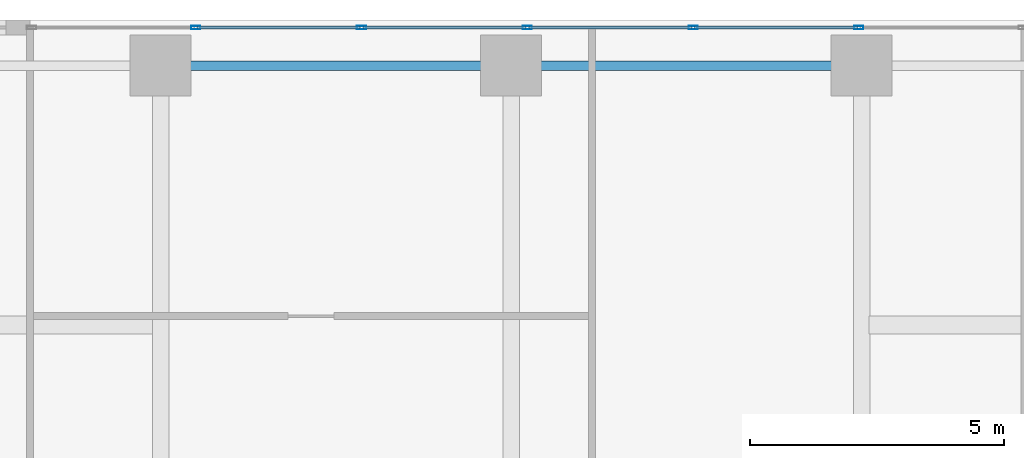
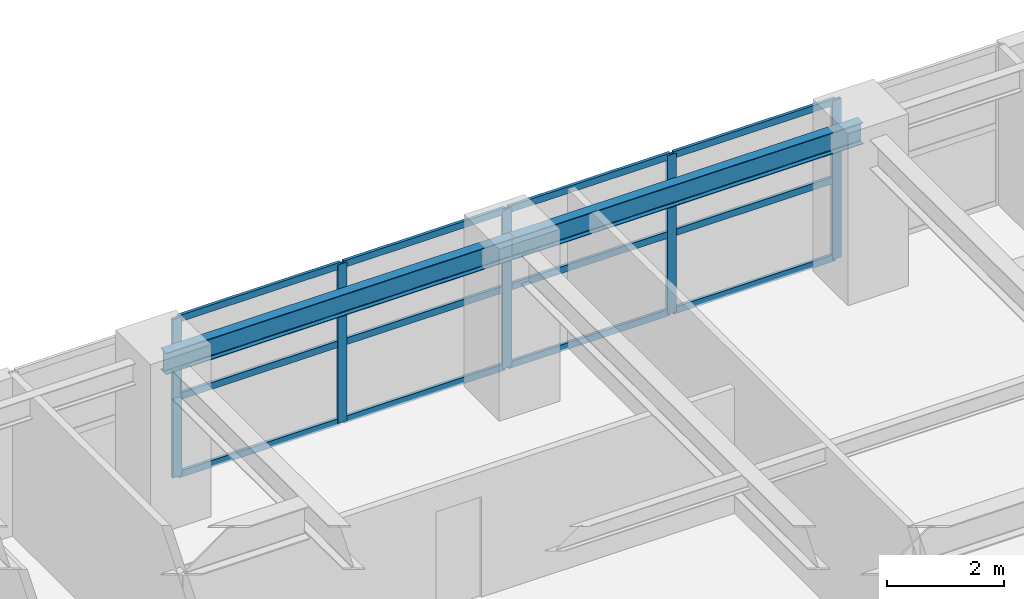
# One storey, part 14 of 24: 17 members, 2 beams, 1 element without a shape of its own.
"""IFC4 building model written with IfcOpenShell, lengths in metres."""

from ifc_helpers import new_model, si_unit, direction, frame, origin, origin_2d, place, context, subcontext, project, spatial, hollow_rectangle, i_section, extrude, source, transform, mapped, material, layer, layer_set, material_profile, profile_set, type_object, element, aggregate, save


model = new_model("IFC4")

# Units and contexts
model_context = context("Model", 3, precision=1e-05, world=origin(), true_north=direction((0.0, 1.0)))
body_context = subcontext(model_context, "Body", "Model", "MODEL_VIEW")
ifc_project = project(units=[si_unit("LENGTHUNIT", "METRE"), si_unit("AREAUNIT", "SQUARE_METRE"), si_unit("VOLUMEUNIT", "CUBIC_METRE"), si_unit("PLANEANGLEUNIT", "RADIAN"), si_unit("MASSUNIT", "GRAM", prefix="KILO")], contexts=[model_context])

# Site, building, storey
site_placement = place(None, origin())
site = spatial("IfcSite", under=ifc_project, at=site_placement, CompositionType="ELEMENT")
building_placement = place(site_placement, origin())
building = spatial("IfcBuilding", under=site, at=building_placement, Name="Khoralis Quay Care Tower", CompositionType="ELEMENT")
storey_placement = place(building_placement, frame((0.0, 0.0, 62.10009765625)))
storey = spatial("IfcBuildingStorey", under=building, at=storey_placement, Name="L16", CompositionType="ELEMENT", Elevation=62.10009765625)

# Beams
ifc_material_1 = material(Name="Steel S355", Category="steel")
ifc_material_profile_1 = material_profile(ifc_material_1, i_section(OverallWidth=0.18994140625, OverallDepth=0.449951171875, WebThickness=0.009521484375, FlangeThickness=0.0146484375, FilletRadius=0.02099609375, at=origin_2d()), Name="Steel S355")
ifc_profile_set_1 = profile_set([ifc_material_profile_1], Name="Steel S355")
beam_type = type_object("IfcBeamType", Name="BM-IPE450", PredefinedType="SPANDREL", material=ifc_profile_set_1)
shared_shape_1 = source(origin(), body_context, "Body", "SweptSolid", [
    extrude(i_section(OverallWidth=0.18994140625, OverallDepth=0.449951171875, WebThickness=0.009521484375, FlangeThickness=0.0146484375, FilletRadius=0.02099609375, at=origin_2d()), origin(), (0.0, 0.0, 1.0), 6.89990234375),
])
for number, where, z_axis, x_axis, name in (
    (1, (17.10009765625, 47.10009765625, 3.094970703125), (1.0, 0.0, 0.0), (0.0, 1.0, 0.0), "BM-TSP-L16-09"),
    (2, (24.0, 47.10009765625, 3.094970703125), (1.0, 0.0, 0.0), (0.0, 1.0, 0.0), "BM-TSP-L16-10"),
):
    element("IfcBeam", number, at=place(storey_placement, frame(where, z_axis=z_axis, x_axis=x_axis)), inside=storey, type_object=beam_type, Name=name, PredefinedType="SPANDREL", context=body_context, shape_type="MappedRepresentation", body=[
        mapped(shared_shape_1, transform((0.0, 0.0, 0.0), scale=1.0)),
    ])

# Curtain wall, members
ifc_material_2 = material(Name="Pale anodised aluminium", Category="aluminium")
ifc_layer = layer(ifc_material_2, 0.179931640625)
ifc_layer_set = layer_set([ifc_layer], Name="Pale anodised aluminium")
curtain_wall_type = type_object("IfcCurtainWallType", Name="CW-SYS-Z1", PredefinedType="NOTDEFINED", material=ifc_layer_set)
curtain_wall_placement = place(storey_placement, origin())
curtain_wall = element("IfcCurtainWall", 3, at=curtain_wall_placement, inside=storey, type_object=curtain_wall_type, Name="L16 Unitised Curtain Wall CW-L16-P1-E10", PredefinedType="NOTDEFINED")
ifc_material_profile_2 = material_profile(ifc_material_2, hollow_rectangle(XDim=0.06494140625, YDim=0.179931640625, WallThickness=0.00390625, at=origin_2d()), Name="Pale anodised aluminium")
ifc_profile_set_2 = profile_set([ifc_material_profile_2], Name="Pale anodised aluminium")
member_type_1 = type_object("IfcMemberType", Name="CW-MUL-180", PredefinedType="MULLION", material=ifc_profile_set_2)
shared_shape_2 = source(origin(), body_context, "Body", "SweptSolid", [
    extrude(hollow_rectangle(XDim=0.06494140625, YDim=0.179931640625, WallThickness=0.00390625, at=origin_2d()), origin(), (0.0, 0.0, 1.0), 3.31982421875),
])
member_1_placement = place(storey_placement, frame((30.8466796875, 47.85009765625, 0.0), z_axis=(0.0, 0.0, 1.0), x_axis=(0.0, -1.0, 0.0)))
member_1 = element("IfcMember", 4, at=member_1_placement, type_object=member_type_1, Name="CW1 mullion 2", PredefinedType="MULLION", context=body_context, shape_type="MappedRepresentation", body=[
    mapped(shared_shape_2, transform((0.0, 0.0, 0.0), scale=1.0)),
])
member_2_placement = place(storey_placement, frame((27.583251953125, 47.85009765625, 0.0), z_axis=(0.0, 0.0, 1.0), x_axis=(0.0, -1.0, 0.0)))
member_2 = element("IfcMember", 5, at=member_2_placement, type_object=member_type_1, Name="CW1 mullion 3", PredefinedType="MULLION", context=body_context, shape_type="MappedRepresentation", body=[
    mapped(shared_shape_2, transform((0.0, 0.0, 0.0), scale=1.0)),
])
member_3_placement = place(storey_placement, frame((24.320068359375, 47.85009765625, 0.0), z_axis=(0.0, 0.0, 1.0), x_axis=(0.0, -1.0, 0.0)))
member_3 = element("IfcMember", 6, at=member_3_placement, type_object=member_type_1, Name="CW1 mullion 4", PredefinedType="MULLION", context=body_context, shape_type="MappedRepresentation", body=[
    mapped(shared_shape_2, transform((0.0, 0.0, 0.0), scale=1.0)),
])
member_4_placement = place(storey_placement, frame((21.056640625, 47.85009765625, 0.0), z_axis=(0.0, 0.0, 1.0), x_axis=(0.0, -1.0, 0.0)))
member_4 = element("IfcMember", 7, at=member_4_placement, type_object=member_type_1, Name="CW1 mullion 5", PredefinedType="MULLION", context=body_context, shape_type="MappedRepresentation", body=[
    mapped(shared_shape_2, transform((0.0, 0.0, 0.0), scale=1.0)),
])
member_5_placement = place(storey_placement, frame((17.793212890625, 47.85009765625, 0.0), z_axis=(0.0, 0.0, 1.0), x_axis=(0.0, -1.0, 0.0)))
member_5 = element("IfcMember", 8, at=member_5_placement, type_object=member_type_1, Name="CW1 mullion 6", PredefinedType="MULLION", context=body_context, shape_type="MappedRepresentation", body=[
    mapped(shared_shape_2, transform((0.0, 0.0, 0.0), scale=1.0)),
])
ifc_material_profile_3 = material_profile(ifc_material_2, hollow_rectangle(XDim=0.06005859375, YDim=0.139892578125, WallThickness=0.00390625, at=origin_2d()), Name="Pale anodised aluminium")
ifc_profile_set_3 = profile_set([ifc_material_profile_3], Name="Pale anodised aluminium")
member_type_2 = type_object("IfcMemberType", Name="CW-TRN-140", PredefinedType="USERDEFINED", material=ifc_profile_set_3)
shared_shape_3 = source(origin(), body_context, "Body", "SweptSolid", [
    extrude(hollow_rectangle(XDim=0.06005859375, YDim=0.139892578125, WallThickness=0.00390625, at=origin_2d()), origin(), (0.0, 0.0, 1.0), 3.203369140625),
])
member_6_placement = place(storey_placement, frame((30.816650390625, 47.85009765625, 0.02978515625), z_axis=(-1.0, 0.0, 0.0), x_axis=(0.0, -1.0, 0.0)))
member_6 = element("IfcMember", 9, at=member_6_placement, type_object=member_type_2, Name="CW1 transom 2.1", ObjectType="TRANSOM", PredefinedType="USERDEFINED", context=body_context, shape_type="MappedRepresentation", body=[
    mapped(shared_shape_3, transform((0.0, 0.0, 0.0), scale=1.0)),
])
member_7_placement = place(storey_placement, frame((30.816650390625, 47.85009765625, 1.659912109375), z_axis=(-1.0, 0.0, 0.0), x_axis=(0.0, -1.0, 0.0)))
member_7 = element("IfcMember", 10, at=member_7_placement, type_object=member_type_2, Name="CW1 transom 2.2", ObjectType="TRANSOM", PredefinedType="USERDEFINED", context=body_context, shape_type="MappedRepresentation", body=[
    mapped(shared_shape_3, transform((0.0, 0.0, 0.0), scale=1.0)),
])
member_8_placement = place(storey_placement, frame((30.816650390625, 47.85009765625, 3.289794921875), z_axis=(-1.0, 0.0, 0.0), x_axis=(0.0, -1.0, 0.0)))
member_8 = element("IfcMember", 11, at=member_8_placement, type_object=member_type_2, Name="CW1 transom 2.3", ObjectType="TRANSOM", PredefinedType="USERDEFINED", context=body_context, shape_type="MappedRepresentation", body=[
    mapped(shared_shape_3, transform((0.0, 0.0, 0.0), scale=1.0)),
])
member_9_placement = place(storey_placement, frame((24.2900390625, 47.85009765625, 0.02978515625), z_axis=(-1.0, 0.0, 0.0), x_axis=(0.0, -1.0, 0.0)))
member_9 = element("IfcMember", 12, at=member_9_placement, type_object=member_type_2, Name="CW1 transom 4.1", ObjectType="TRANSOM", PredefinedType="USERDEFINED", context=body_context, shape_type="MappedRepresentation", body=[
    mapped(shared_shape_3, transform((0.0, 0.0, 0.0), scale=1.0)),
])
member_10_placement = place(storey_placement, frame((24.2900390625, 47.85009765625, 1.659912109375), z_axis=(-1.0, 0.0, 0.0), x_axis=(0.0, -1.0, 0.0)))
member_10 = element("IfcMember", 13, at=member_10_placement, type_object=member_type_2, Name="CW1 transom 4.2", ObjectType="TRANSOM", PredefinedType="USERDEFINED", context=body_context, shape_type="MappedRepresentation", body=[
    mapped(shared_shape_3, transform((0.0, 0.0, 0.0), scale=1.0)),
])
member_11_placement = place(storey_placement, frame((24.2900390625, 47.85009765625, 3.289794921875), z_axis=(-1.0, 0.0, 0.0), x_axis=(0.0, -1.0, 0.0)))
member_11 = element("IfcMember", 14, at=member_11_placement, type_object=member_type_2, Name="CW1 transom 4.3", ObjectType="TRANSOM", PredefinedType="USERDEFINED", context=body_context, shape_type="MappedRepresentation", body=[
    mapped(shared_shape_3, transform((0.0, 0.0, 0.0), scale=1.0)),
])
member_12_placement = place(storey_placement, frame((21.026611328125, 47.85009765625, 0.02978515625), z_axis=(-1.0, 0.0, 0.0), x_axis=(0.0, -1.0, 0.0)))
member_12 = element("IfcMember", 15, at=member_12_placement, type_object=member_type_2, Name="CW1 transom 5.1", ObjectType="TRANSOM", PredefinedType="USERDEFINED", context=body_context, shape_type="MappedRepresentation", body=[
    mapped(shared_shape_3, transform((0.0, 0.0, 0.0), scale=1.0)),
])
member_13_placement = place(storey_placement, frame((21.026611328125, 47.85009765625, 1.659912109375), z_axis=(-1.0, 0.0, 0.0), x_axis=(0.0, -1.0, 0.0)))
member_13 = element("IfcMember", 16, at=member_13_placement, type_object=member_type_2, Name="CW1 transom 5.2", ObjectType="TRANSOM", PredefinedType="USERDEFINED", context=body_context, shape_type="MappedRepresentation", body=[
    mapped(shared_shape_3, transform((0.0, 0.0, 0.0), scale=1.0)),
])
member_14_placement = place(storey_placement, frame((21.026611328125, 47.85009765625, 3.289794921875), z_axis=(-1.0, 0.0, 0.0), x_axis=(0.0, -1.0, 0.0)))
member_14 = element("IfcMember", 17, at=member_14_placement, type_object=member_type_2, Name="CW1 transom 5.3", ObjectType="TRANSOM", PredefinedType="USERDEFINED", context=body_context, shape_type="MappedRepresentation", body=[
    mapped(shared_shape_3, transform((0.0, 0.0, 0.0), scale=1.0)),
])
shared_shape_4 = source(origin(), body_context, "Body", "SweptSolid", [
    extrude(hollow_rectangle(XDim=0.06005859375, YDim=0.139892578125, WallThickness=0.00390625, at=origin_2d()), origin(), (0.0, 0.0, 1.0), 3.203125),
])
member_15_placement = place(storey_placement, frame((27.55322265625, 47.85009765625, 0.02978515625), z_axis=(-1.0, 0.0, 0.0), x_axis=(0.0, -1.0, 0.0)))
member_15 = element("IfcMember", 18, at=member_15_placement, type_object=member_type_2, Name="CW1 transom 3.1", ObjectType="TRANSOM", PredefinedType="USERDEFINED", context=body_context, shape_type="MappedRepresentation", body=[
    mapped(shared_shape_4, transform((0.0, 0.0, 0.0), scale=1.0)),
])
member_16_placement = place(storey_placement, frame((27.55322265625, 47.85009765625, 1.659912109375), z_axis=(-1.0, 0.0, 0.0), x_axis=(0.0, -1.0, 0.0)))
member_16 = element("IfcMember", 19, at=member_16_placement, type_object=member_type_2, Name="CW1 transom 3.2", ObjectType="TRANSOM", PredefinedType="USERDEFINED", context=body_context, shape_type="MappedRepresentation", body=[
    mapped(shared_shape_4, transform((0.0, 0.0, 0.0), scale=1.0)),
])
member_17_placement = place(storey_placement, frame((27.55322265625, 47.85009765625, 3.289794921875), z_axis=(-1.0, 0.0, 0.0), x_axis=(0.0, -1.0, 0.0)))
member_17 = element("IfcMember", 20, at=member_17_placement, type_object=member_type_2, Name="CW1 transom 3.3", ObjectType="TRANSOM", PredefinedType="USERDEFINED", context=body_context, shape_type="MappedRepresentation", body=[
    mapped(shared_shape_4, transform((0.0, 0.0, 0.0), scale=1.0)),
])
aggregate(curtain_wall, [member_1, member_2, member_3, member_4, member_5, member_6, member_7, member_8, member_15, member_16, member_17, member_9, member_10, member_11, member_12, member_13, member_14])

save(model, "model.ifc")
